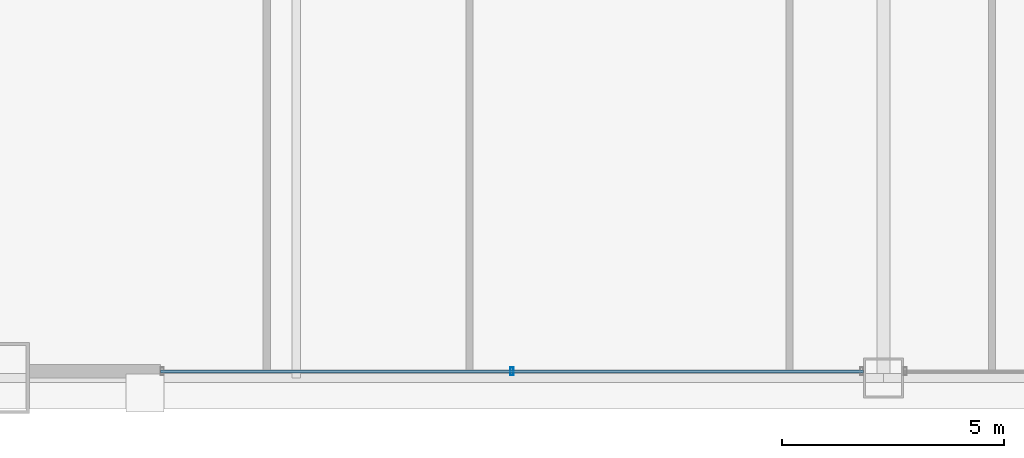
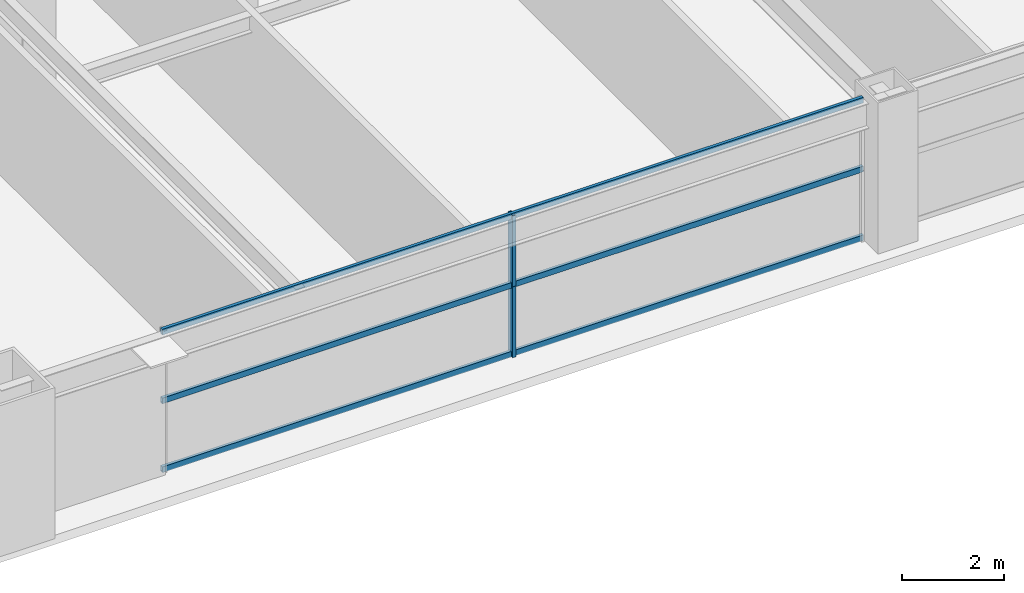
# One storey, part 5 of 38: 5 members, 1 element without a shape of its own.
"""IFC4 building model written with IfcOpenShell, lengths in metres."""

from ifc_helpers import new_model, si_unit, direction, frame, origin, origin_2d, place, context, subcontext, project, spatial, hollow_rectangle, extrude, source, transform, mapped, material, layer, layer_set, material_profile, profile_set, type_object, element, aggregate, save


model = new_model("IFC4")

# Units and contexts
model_context = context("Model", 3, precision=1e-05, world=origin(), true_north=direction((0.0, 1.0)))
body_context = subcontext(model_context, "Body", "Model", "MODEL_VIEW")
ifc_project = project(units=[si_unit("LENGTHUNIT", "METRE"), si_unit("AREAUNIT", "SQUARE_METRE"), si_unit("VOLUMEUNIT", "CUBIC_METRE"), si_unit("PLANEANGLEUNIT", "RADIAN"), si_unit("MASSUNIT", "GRAM", prefix="KILO"), si_unit("THERMODYNAMICTEMPERATUREUNIT", "KELVIN"), si_unit("POWERUNIT", "WATT")], contexts=[model_context])

# Site, building, storey
site_placement = place(None, origin())
site = spatial("IfcSite", under=ifc_project, at=site_placement, CompositionType="ELEMENT")
building_placement = place(site_placement, origin())
building = spatial("IfcBuilding", under=site, at=building_placement, Name="Yuzanri Waterfront Tower", CompositionType="ELEMENT")
storey_placement = place(building_placement, frame((0.0, 0.0, 97.39990234375)))
storey = spatial("IfcBuildingStorey", under=building, at=storey_placement, Name="L25", CompositionType="ELEMENT", Elevation=97.39990234375)

# Curtain wall, members
ifc_material_1 = material(Name="Anodized Architectural Bronze", Category="metal")
ifc_layer = layer(ifc_material_1, 0.159912109375)
ifc_layer_set = layer_set([ifc_layer], Name="Anodized Architectural Bronze")
curtain_wall_type = type_object("IfcCurtainWallType", Name="Anodized Bronze Hotel Upper-Tier Solar-Control Unitized Curtain Wall 7800", PredefinedType="NOTDEFINED", material=ifc_layer_set)
curtain_wall_placement = place(storey_placement, origin())
curtain_wall = element("IfcCurtainWall", 1, at=curtain_wall_placement, inside=storey, type_object=curtain_wall_type, Name="L25 Curtain Wall CW-L25-SL", PredefinedType="NOTDEFINED")
ifc_material_2 = material(Name="Anodized Architectural Bronze", Category="metal")
ifc_material_profile_1 = material_profile(ifc_material_2, hollow_rectangle(XDim=0.070068359375, YDim=0.179931640625, WallThickness=0.00390625, at=origin_2d()), Name="CWM 70x180")
ifc_profile_set_1 = profile_set([ifc_material_profile_1], Name="Anodized Architectural Bronze")
member_type_1 = type_object("IfcMemberType", Name="Anodized Bronze Standard Curtain-Wall Mullion 70x180", PredefinedType="MULLION", material=ifc_profile_set_1)
shared_shape_1 = source(origin(), body_context, "Body", "SweptSolid", [
    extrude(hollow_rectangle(XDim=0.070068359375, YDim=0.179931640625, WallThickness=0.00390625, at=origin_2d()), origin(), (0.0, 0.0, 1.0), 1.68798828125),
])
member_1_placement = place(storey_placement, frame((28.64990234375, 2.35009765625, 0.0), z_axis=(0.0, 0.0, 1.0), x_axis=(1.0, 0.0, 0.0)))
member_1 = element("IfcMember", 2, at=member_1_placement, type_object=member_type_1, Name="CW-L25-SL Lower Mullion 01", PredefinedType="MULLION", context=body_context, shape_type="MappedRepresentation", body=[
    mapped(shared_shape_1, transform((0.0, 0.0, 0.0), scale=1.0)),
])
member_2_placement = place(storey_placement, frame((28.64990234375, 2.35009765625, 1.692138671875), z_axis=(0.0, 0.0, 1.0), x_axis=(1.0, 0.0, 0.0)))
member_2 = element("IfcMember", 3, at=member_2_placement, type_object=member_type_1, Name="CW-L25-SL Upper Mullion 01", PredefinedType="MULLION", context=body_context, shape_type="MappedRepresentation", body=[
    mapped(shared_shape_1, transform((0.0, 0.0, 0.0), scale=1.0)),
])
ifc_material_3 = material(Name="Anodized Architectural Bronze", Category="metal")
ifc_material_profile_2 = material_profile(ifc_material_3, hollow_rectangle(XDim=0.070068359375, YDim=0.135009765625, WallThickness=0.00341796875, at=origin_2d()), Name="CWT 70x135")
ifc_profile_set_2 = profile_set([ifc_material_profile_2], Name="Anodized Architectural Bronze")
member_type_2 = type_object("IfcMemberType", Name="Anodized Bronze Standard Curtain-Wall Transom 70x135", PredefinedType="USERDEFINED", material=ifc_profile_set_2)
shared_shape_2 = source(origin(), body_context, "Body", "SweptSolid", [
    extrude(hollow_rectangle(XDim=0.070068359375, YDim=0.135009765625, WallThickness=0.00341796875, at=origin_2d()), origin(), (0.0, 0.0, 1.0), 15.800048828125),
])
member_3_placement = place(storey_placement, frame((20.75, 2.35009765625, 0.050048828125), z_axis=(1.0, 0.0, 0.0), x_axis=(0.0, 1.0, 0.0)))
member_3 = element("IfcMember", 4, at=member_3_placement, type_object=member_type_2, Name="CW-L25-SL Transom 1", ObjectType="TRANSOM", PredefinedType="USERDEFINED", context=body_context, shape_type="MappedRepresentation", body=[
    mapped(shared_shape_2, transform((0.0, 0.0, 0.0), scale=1.0)),
])
member_4_placement = place(storey_placement, frame((20.75, 2.35009765625, 1.690185546875), z_axis=(1.0, 0.0, 0.0), x_axis=(0.0, 1.0, 0.0)))
member_4 = element("IfcMember", 5, at=member_4_placement, type_object=member_type_2, Name="CW-L25-SL Transom 2", ObjectType="TRANSOM", PredefinedType="USERDEFINED", context=body_context, shape_type="MappedRepresentation", body=[
    mapped(shared_shape_2, transform((0.0, 0.0, 0.0), scale=1.0)),
])
member_5_placement = place(storey_placement, frame((20.75, 2.35009765625, 3.330078125), z_axis=(1.0, 0.0, 0.0), x_axis=(0.0, 1.0, 0.0)))
member_5 = element("IfcMember", 6, at=member_5_placement, type_object=member_type_2, Name="CW-L25-SL Transom 3", ObjectType="TRANSOM", PredefinedType="USERDEFINED", context=body_context, shape_type="MappedRepresentation", body=[
    mapped(shared_shape_2, transform((0.0, 0.0, 0.0), scale=1.0)),
])
aggregate(curtain_wall, [member_1, member_2, member_3, member_4, member_5])

save(model, "model.ifc")
